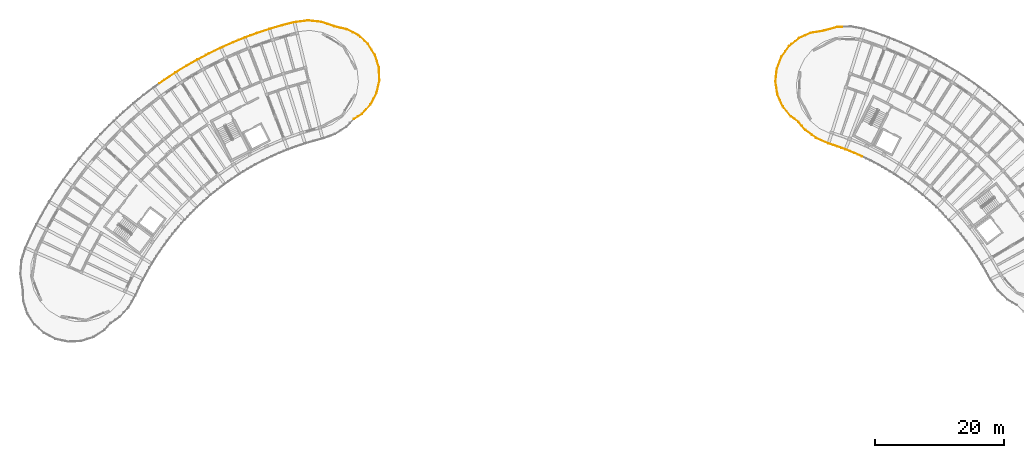
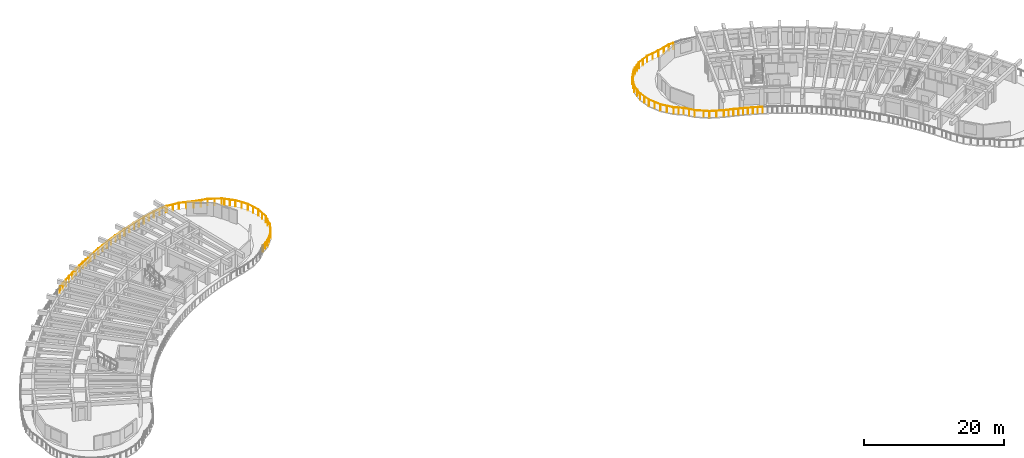
# One storey, part 33 of 36: 10 railings.
"""IFC4 building model written with IfcOpenShell, lengths in metres."""

from ifc_helpers import new_model, si_unit, direction, frame, origin, origin_2d, place, context, subcontext, project, spatial, circle, extrude, material, type_object, element, save


model = new_model("IFC4")

# Units and contexts
model_context = context("Model", 3, precision=1e-05, world=origin(), true_north=direction((0.0, 1.0)))
body_context = subcontext(model_context, "Body", "Model", "MODEL_VIEW")
ifc_project = project(units=[si_unit("LENGTHUNIT", "METRE"), si_unit("AREAUNIT", "SQUARE_METRE"), si_unit("VOLUMEUNIT", "CUBIC_METRE"), si_unit("PLANEANGLEUNIT", "RADIAN"), si_unit("MASSUNIT", "GRAM", prefix="KILO")], contexts=[model_context])

# Site, building, storey
site_placement = place(None, origin())
site = spatial("IfcSite", under=ifc_project, at=site_placement, CompositionType="ELEMENT")
building_placement = place(site_placement, origin())
building = spatial("IfcBuilding", under=site, at=building_placement, Name="Tanwirah Colonnade Gardens", CompositionType="ELEMENT")
storey_placement = place(building_placement, frame((0.0, 0.0, 39.080078125)))
storey = spatial("IfcBuildingStorey", under=building, at=storey_placement, Name="L11", CompositionType="ELEMENT", Elevation=39.080078125)

# Railings
ifc_material = material(Name="Precast concrete C40/50", Category="concrete")
railing_type = type_object("IfcRailingType", Name="BAL-EXT112", PredefinedType="BALUSTRADE", material=ifc_material)
railing_1_placement = place(storey_placement, frame((29.6474609375, 110.293212890625, 0.0)))
element("IfcRailing", 1, at=railing_1_placement, inside=storey, type_object=railing_type, Name="Block A L11 Balcony Ribbon Balustrade 14", PredefinedType="BALUSTRADE", context=body_context, shape_type="SweptSolid", body=[
    extrude(circle(Radius=0.02392578125, at=origin_2d()), frame((0.025634765625, 0.01806640625, 1.09619140625), z_axis=(0.816391751953, 0.577498491204, 0.0), x_axis=(-0.577498491204, 0.816391751953, 0.0)), (0.0, 0.0, 1.0), 0.877685546875),
    extrude(circle(Radius=0.02392578125, at=origin_2d()), frame((0.793701171875, 0.56005859375, 1.09619140625), z_axis=(0.834955682369, 0.550317188973, 0.0), x_axis=(-0.550317188973, 0.834955682369, 0.0)), (0.0, 0.0, 1.0), 1.959228515625),
    extrude(circle(Radius=0.02392578125, at=origin_2d()), frame((2.482177734375, 1.671875, 1.09619140625), z_axis=(0.852660263329, 0.522465764754, 0.0), x_axis=(-0.522465764754, 0.852660263329, 0.0)), (0.0, 0.0, 1.0), 1.958984375),
    extrude(circle(Radius=0.02392578125, at=origin_2d()), frame((4.206298828125, 2.72705078125, 1.09619140625), z_axis=(0.869392881113, 0.494121461049, 0.0), x_axis=(-0.494121461049, 0.869392881113, 0.0)), (0.0, 0.0, 1.0), 1.958740234375),
    extrude(circle(Radius=0.02392578125, at=origin_2d()), frame((5.964111328125, 3.72509765625, 1.09619140625), z_axis=(0.885233220502, 0.465147444709, 0.0), x_axis=(-0.465147444709, 0.885233220502, 0.0)), (0.0, 0.0, 1.0), 1.432861328125),
    extrude(circle(Radius=0.02099609375, at=origin_2d()), origin(), (0.0, 0.0, 1.0), 1.069091796875),
    extrude(circle(Radius=0.02099609375, at=origin_2d()), frame((0.767578125, 0.54296875, 0.0)), (0.0, 0.0, 1.0), 1.069091796875),
    extrude(circle(Radius=0.02099609375, at=origin_2d()), frame((1.611572265625, 1.09912109375, 0.0)), (0.0, 0.0, 1.0), 1.069091796875),
    extrude(circle(Radius=0.02099609375, at=origin_2d()), frame((2.45556640625, 1.655517578125, 0.0)), (0.0, 0.0, 1.0), 1.069091796875),
    extrude(circle(Radius=0.02099609375, at=origin_2d()), frame((3.3173828125, 2.18359375, 0.0)), (0.0, 0.0, 1.0), 1.069091796875),
    extrude(circle(Radius=0.02099609375, at=origin_2d()), frame((4.17919921875, 2.711669921875, 0.0)), (0.0, 0.0, 1.0), 1.069091796875),
    extrude(circle(Radius=0.02099609375, at=origin_2d()), frame((5.057861328125, 3.2109375, 0.0)), (0.0, 0.0, 1.0), 1.069091796875),
    extrude(circle(Radius=0.02099609375, at=origin_2d()), frame((5.9365234375, 3.71044921875, 0.0)), (0.0, 0.0, 1.0), 1.069091796875),
    extrude(circle(Radius=0.02099609375, at=origin_2d()), frame((6.598388671875, 4.05810546875, 0.0)), (0.0, 0.0, 1.0), 1.069091796875),
    extrude(circle(Radius=0.02099609375, at=origin_2d()), frame((7.26025390625, 4.406005859375, 0.0)), (0.0, 0.0, 1.0), 1.069091796875),
])
railing_2_placement = place(storey_placement, frame((36.90771484375, 114.69921875, 0.0)))
element("IfcRailing", 2, at=railing_2_placement, inside=storey, type_object=railing_type, Name="Block A L11 Balcony Ribbon Balustrade 15", PredefinedType="BALUSTRADE", context=body_context, shape_type="SweptSolid", body=[
    extrude(circle(Radius=0.02392578125, at=origin_2d()), frame((0.027587890625, 0.0146484375, 1.09619140625), z_axis=(0.885149567383, 0.465306612204, 0.0), x_axis=(-0.465306612204, 0.885149567383, 0.0)), (0.0, 0.0, 1.0), 0.463623046875),
    extrude(circle(Radius=0.02392578125, at=origin_2d()), frame((0.493896484375, 0.258544921875, 1.09619140625), z_axis=(0.900055350621, 0.435775591122, 0.0), x_axis=(-0.435775591122, 0.900055350621, 0.0)), (0.0, 0.0, 1.0), 1.958740234375),
    extrude(circle(Radius=0.02392578125, at=origin_2d()), frame((2.313720703125, 1.138427734375, 1.09619140625), z_axis=(0.913950953394, 0.405824660156, 0.0), x_axis=(-0.405824660156, 0.913950953394, 0.0)), (0.0, 0.0, 1.0), 1.958740234375),
    extrude(circle(Radius=0.02392578125, at=origin_2d()), frame((4.16162109375, 1.957763671875, 1.09619140625), z_axis=(0.926784720453, 0.375592973757, 0.0), x_axis=(-0.375592973757, 0.926784720453, 0.0)), (0.0, 0.0, 1.0), 1.958984375),
    extrude(circle(Radius=0.02392578125, at=origin_2d()), frame((6.035400390625, 2.716064453125, 1.09619140625), z_axis=(0.938713668442, 0.344697909305, 0.0), x_axis=(-0.344697909305, 0.938713668442, 0.0)), (0.0, 0.0, 1.0), 1.846923828125),
    extrude(circle(Radius=0.02099609375, at=origin_2d()), origin(), (0.0, 0.0, 1.0), 1.069091796875),
    extrude(circle(Radius=0.02099609375, at=origin_2d()), frame((0.4658203125, 0.244873046875, 0.0)), (0.0, 0.0, 1.0), 1.069091796875),
    extrude(circle(Radius=0.02099609375, at=origin_2d()), frame((1.37548828125, 0.685302734375, 0.0)), (0.0, 0.0, 1.0), 1.069091796875),
    extrude(circle(Radius=0.02099609375, at=origin_2d()), frame((2.28515625, 1.125732421875, 0.0)), (0.0, 0.0, 1.0), 1.069091796875),
    extrude(circle(Radius=0.02099609375, at=origin_2d()), frame((3.208984375, 1.535888671875, 0.0)), (0.0, 0.0, 1.0), 1.069091796875),
    extrude(circle(Radius=0.02099609375, at=origin_2d()), frame((4.132568359375, 1.946044921875, 0.0)), (0.0, 0.0, 1.0), 1.069091796875),
    extrude(circle(Radius=0.02099609375, at=origin_2d()), frame((5.0693359375, 2.32568359375, 0.0)), (0.0, 0.0, 1.0), 1.069091796875),
    extrude(circle(Radius=0.02099609375, at=origin_2d()), frame((6.006103515625, 2.705322265625, 0.0)), (0.0, 0.0, 1.0), 1.069091796875),
    extrude(circle(Radius=0.02099609375, at=origin_2d()), frame((6.90234375, 3.034423828125, 0.0)), (0.0, 0.0, 1.0), 1.069091796875),
    extrude(circle(Radius=0.02099609375, at=origin_2d()), frame((7.798583984375, 3.363525390625, 0.0)), (0.0, 0.0, 1.0), 1.069091796875),
])
railing_3_placement = place(storey_placement, frame((44.706298828125, 118.062744140625, 0.0)))
element("IfcRailing", 3, at=railing_3_placement, inside=storey, type_object=railing_type, Name="Block A L11 Balcony Ribbon Balustrade 16", PredefinedType="BALUSTRADE", context=body_context, shape_type="SweptSolid", body=[
    extrude(circle(Radius=0.02392578125, at=origin_2d()), frame((0.029296875, 0.0107421875, 1.09619140625), z_axis=(0.938899783479, 0.344190639883, 0.0), x_axis=(-0.344190639883, 0.938899783479, 0.0)), (0.0, 0.0, 1.0), 0.049560546875),
    extrude(circle(Radius=0.02392578125, at=origin_2d()), frame((0.135009765625, 0.04833984375, 1.09619140625), z_axis=(0.949537316482, 0.313654084317, 0.0), x_axis=(-0.313654084317, 0.949537316482, 0.0)), (0.0, 0.0, 1.0), 1.958984375),
    extrude(circle(Radius=0.02392578125, at=origin_2d()), frame((2.0546875, 0.681396484375, 1.09619140625), z_axis=(0.959371271211, 0.282146706477, 0.0), x_axis=(-0.282146706477, 0.959371271211, 0.0)), (0.0, 0.0, 1.0), 1.958740234375),
    extrude(circle(Radius=0.02392578125, at=origin_2d()), frame((3.994140625, 1.250732421875, 1.09619140625), z_axis=(0.968153485753, 0.250357400578, 0.0), x_axis=(-0.250357400578, 0.968153485753, 0.0)), (0.0, 0.0, 1.0), 1.955078125),
    extrude(circle(Radius=0.02392578125, at=origin_2d()), frame((5.9482421875, 1.751953125, 1.09619140625), z_axis=(0.99226709468, 0.124120960419, 0.0), x_axis=(-0.124120960419, 0.99226709468, 0.0)), (0.0, 0.0, 1.0), 2.0283203125),
    extrude(circle(Radius=0.02392578125, at=origin_2d()), frame((8.02294921875, 2.00439453125, 1.09619140625), z_axis=(0.994975686498, -0.100116848123, 0.0), x_axis=(0.100116848123, 0.994975686498, 0.0)), (0.0, 0.0, 1.0), 0.174072265625),
    extrude(circle(Radius=0.02099609375, at=origin_2d()), origin(), (0.0, 0.0, 1.0), 1.069091796875),
    extrude(circle(Radius=0.02099609375, at=origin_2d()), frame((0.105224609375, 0.03857421875, 0.0)), (0.0, 0.0, 1.0), 1.069091796875),
    extrude(circle(Radius=0.02099609375, at=origin_2d()), frame((1.06494140625, 0.35546875, 0.0)), (0.0, 0.0, 1.0), 1.069091796875),
    extrude(circle(Radius=0.02099609375, at=origin_2d()), frame((2.024658203125, 0.672607421875, 0.0)), (0.0, 0.0, 1.0), 1.069091796875),
    extrude(circle(Radius=0.02099609375, at=origin_2d()), frame((2.994140625, 0.957763671875, 0.0)), (0.0, 0.0, 1.0), 1.069091796875),
    extrude(circle(Radius=0.02099609375, at=origin_2d()), frame((3.9638671875, 1.242919921875, 0.0)), (0.0, 0.0, 1.0), 1.069091796875),
    extrude(circle(Radius=0.02099609375, at=origin_2d()), frame((4.9404296875, 1.49560546875, 0.0)), (0.0, 0.0, 1.0), 1.069091796875),
    extrude(circle(Radius=0.02099609375, at=origin_2d()), frame((5.917236328125, 1.748046875, 0.0)), (0.0, 0.0, 1.0), 1.069091796875),
    extrude(circle(Radius=0.02099609375, at=origin_2d()), frame((6.95458984375, 1.8779296875, 0.0)), (0.0, 0.0, 1.0), 1.069091796875),
    extrude(circle(Radius=0.02099609375, at=origin_2d()), frame((7.991943359375, 2.007568359375, 0.0)), (0.0, 0.0, 1.0), 1.069091796875),
    extrude(circle(Radius=0.02099609375, at=origin_2d()), frame((8.227294921875, 1.98388671875, 0.0)), (0.0, 0.0, 1.0), 1.069091796875),
])
railing_4_placement = place(storey_placement, frame((52.93359375, 120.046630859375, 0.0)))
element("IfcRailing", 4, at=railing_4_placement, inside=storey, type_object=railing_type, Name="Block A L11 Balcony Ribbon Balustrade 17", PredefinedType="BALUSTRADE", context=body_context, shape_type="SweptSolid", body=[
    extrude(circle(Radius=0.02392578125, at=origin_2d()), frame((0.031005859375, -0.003173828125, 1.09619140625), z_axis=(0.994999232814, -0.099882564546, 0.0), x_axis=(0.099882564546, 0.994999232814, 0.0)), (0.0, 0.0, 1.0), 1.787841796875),
    extrude(circle(Radius=0.02392578125, at=origin_2d()), frame((1.87060546875, -0.19482421875, 1.09619140625), z_axis=(0.947861179751, -0.318683516865, 0.0), x_axis=(0.318683516865, 0.947861179751, 0.0)), (0.0, 0.0, 1.0), 2.0244140625),
    extrude(circle(Radius=0.02392578125, at=origin_2d()), frame((3.845703125, -0.8662109375, 1.09619140625), z_axis=(0.85239529103, -0.52289795164, 0.0), x_axis=(0.52289795164, 0.85239529103, 0.0)), (0.0, 0.0, 1.0), 0.039794921875),
    extrude(circle(Radius=0.02392578125, at=origin_2d()), frame((3.9609375, -0.919921875, 1.09619140625), z_axis=(0.975466090971, -0.220149733968, 0.0), x_axis=(0.220149733968, 0.975466090971, 0.0)), (0.0, 0.0, 1.0), 1.960205078125),
    extrude(circle(Radius=0.02392578125, at=origin_2d()), frame((5.93115234375, -1.373046875, 1.09619140625), z_axis=(0.8852071183, -0.465197117049, 0.0), x_axis=(0.465197117049, 0.8852071183, 0.0)), (0.0, 0.0, 1.0), 1.95263671875),
    extrude(circle(Radius=0.02392578125, at=origin_2d()), frame((7.71044921875, -2.317138671875, 1.09619140625), z_axis=(0.734567337041, -0.678535796663, 0.0), x_axis=(0.678535796663, 0.734567337041, 0.0)), (0.0, 0.0, 1.0), 0.333984375),
    extrude(circle(Radius=0.02099609375, at=origin_2d()), origin(), (0.0, 0.0, 1.0), 1.069091796875),
    extrude(circle(Radius=0.02099609375, at=origin_2d()), frame((0.92041015625, -0.09228515625, 0.0)), (0.0, 0.0, 1.0), 1.069091796875),
    extrude(circle(Radius=0.02099609375, at=origin_2d()), frame((1.841064453125, -0.184814453125, 0.0)), (0.0, 0.0, 1.0), 1.069091796875),
    extrude(circle(Radius=0.02099609375, at=origin_2d()), frame((2.830078125, -0.517333984375, 0.0)), (0.0, 0.0, 1.0), 1.069091796875),
    extrude(circle(Radius=0.02099609375, at=origin_2d()), frame((3.819091796875, -0.849853515625, 0.0)), (0.0, 0.0, 1.0), 1.069091796875),
    extrude(circle(Radius=0.02099609375, at=origin_2d()), frame((3.90625, -0.9033203125, 0.0)), (0.0, 0.0, 1.0), 1.069091796875),
    extrude(circle(Radius=0.02099609375, at=origin_2d()), frame((4.9169921875, -1.1357421875, 0.0)), (0.0, 0.0, 1.0), 1.069091796875),
    extrude(circle(Radius=0.02099609375, at=origin_2d()), frame((5.903564453125, -1.3583984375, 0.0)), (0.0, 0.0, 1.0), 1.069091796875),
    extrude(circle(Radius=0.02099609375, at=origin_2d()), frame((6.79541015625, -1.8271484375, 0.0)), (0.0, 0.0, 1.0), 1.069091796875),
    extrude(circle(Radius=0.02099609375, at=origin_2d()), frame((7.6875, -2.2958984375, 0.0)), (0.0, 0.0, 1.0), 1.069091796875),
    extrude(circle(Radius=0.02099609375, at=origin_2d()), frame((7.978759765625, -2.56494140625, 0.0)), (0.0, 0.0, 1.0), 1.069091796875),
])
railing_5_placement = place(storey_placement, frame((60.912353515625, 117.481689453125, 0.0)))
element("IfcRailing", 5, at=railing_5_placement, inside=storey, type_object=railing_type, Name="Block A L11 Balcony Ribbon Balustrade 18", PredefinedType="BALUSTRADE", context=body_context, shape_type="SweptSolid", body=[
    extrude(circle(Radius=0.02392578125, at=origin_2d()), frame((0.02294921875, -0.021240234375, 1.09619140625), z_axis=(0.734676216962, -0.678417906773, 0.0), x_axis=(0.678417906773, 0.734676216962, 0.0)), (0.0, 0.0, 1.0), 1.55615234375),
    extrude(circle(Radius=0.02392578125, at=origin_2d()), frame((1.205810546875, -1.12451171875, 1.09619140625), z_axis=(0.534011223125, -0.845477387975, 0.0), x_axis=(0.845477387975, 0.534011223125, 0.0)), (0.0, 0.0, 1.0), 1.95263671875),
    extrude(circle(Radius=0.02392578125, at=origin_2d()), frame((2.274658203125, -2.831787109375, 1.09619140625), z_axis=(0.29697080991, -0.954886557692, 0.0), x_axis=(0.954886557692, 0.29697080991, 0.0)), (0.0, 0.0, 1.0), 1.952392578125),
    extrude(circle(Radius=0.02392578125, at=origin_2d()), frame((2.864990234375, -4.75732421875, 1.09619140625), z_axis=(0.039735808977, -0.999210220867, 0.0), x_axis=(0.999210220867, 0.039735808977, 0.0)), (0.0, 0.0, 1.0), 1.95263671875),
    extrude(circle(Radius=0.02392578125, at=origin_2d()), frame((2.93701171875, -6.770263671875, 1.09619140625), z_axis=(-0.220269837947, -0.975438977328, 0.0), x_axis=(0.975438977328, -0.220269837947, 0.0)), (0.0, 0.0, 1.0), 0.773193359375),
    extrude(circle(Radius=0.02099609375, at=origin_2d()), origin(), (0.0, 0.0, 1.0), 1.069091796875),
    extrude(circle(Radius=0.02099609375, at=origin_2d()), frame((0.5947265625, -0.549072265625, 0.0)), (0.0, 0.0, 1.0), 1.069091796875),
    extrude(circle(Radius=0.02099609375, at=origin_2d()), frame((1.189208984375, -1.09814453125, 0.0)), (0.0, 0.0, 1.0), 1.069091796875),
    extrude(circle(Radius=0.02099609375, at=origin_2d()), frame((1.727294921875, -1.9501953125, 0.0)), (0.0, 0.0, 1.0), 1.069091796875),
    extrude(circle(Radius=0.02099609375, at=origin_2d()), frame((2.265380859375, -2.802001953125, 0.0)), (0.0, 0.0, 1.0), 1.069091796875),
    extrude(circle(Radius=0.02099609375, at=origin_2d()), frame((2.564453125, -3.76416015625, 0.0)), (0.0, 0.0, 1.0), 1.069091796875),
    extrude(circle(Radius=0.02099609375, at=origin_2d()), frame((2.86376953125, -4.72607421875, 0.0)), (0.0, 0.0, 1.0), 1.069091796875),
    extrude(circle(Radius=0.02099609375, at=origin_2d()), frame((2.90380859375, -5.73291015625, 0.0)), (0.0, 0.0, 1.0), 1.069091796875),
    extrude(circle(Radius=0.02099609375, at=origin_2d()), frame((2.94384765625, -6.73974609375, 0.0)), (0.0, 0.0, 1.0), 1.069091796875),
    extrude(circle(Radius=0.02099609375, at=origin_2d()), frame((2.759765625, -7.554931640625, 0.0)), (0.0, 0.0, 1.0), 1.069091796875),
])
railing_6_placement = place(storey_placement, frame((63.672119140625, 109.9267578125, 0.0)))
element("IfcRailing", 6, at=railing_6_placement, inside=storey, type_object=railing_type, Name="Block A L11 Balcony Ribbon Balustrade 19", PredefinedType="BALUSTRADE", context=body_context, shape_type="SweptSolid", body=[
    extrude(circle(Radius=0.02392578125, at=origin_2d()), frame((-0.0068359375, -0.030517578125, 1.09619140625), z_axis=(-0.220260871435, -0.975441002068, 0.0), x_axis=(0.975441002068, -0.220260871435, 0.0)), (0.0, 0.0, 1.0), 1.116943359375),
    extrude(circle(Radius=0.02392578125, at=origin_2d()), frame((-0.2744140625, -1.177978515625, 1.09619140625), z_axis=(-0.46510218075, -0.885257003057, 0.0), x_axis=(0.885257003057, -0.46510218075, 0.0)), (0.0, 0.0, 1.0), 1.95263671875),
    extrude(circle(Radius=0.02392578125, at=origin_2d()), frame((-1.21826171875, -2.957275390625, 1.09619140625), z_axis=(-0.678501490728, -0.734599024693, 0.0), x_axis=(0.734599024693, -0.678501490728, 0.0)), (0.0, 0.0, 1.0), 1.952392578125),
    extrude(circle(Radius=0.02392578125, at=origin_2d()), frame((-2.590576171875, -4.43115234375, 1.09619140625), z_axis=(-0.845440461519, -0.534069682744, 0.0), x_axis=(0.534069682744, -0.845440461519, 0.0)), (0.0, 0.0, 1.0), 1.374755859375),
    extrude(circle(Radius=0.02099609375, at=origin_2d()), origin(), (0.0, 0.0, 1.0), 1.069091796875),
    extrude(circle(Radius=0.02099609375, at=origin_2d()), frame((-0.259765625, -1.150390625, 0.0)), (0.0, 0.0, 1.0), 1.069091796875),
    extrude(circle(Radius=0.02099609375, at=origin_2d()), frame((-0.728515625, -2.04248046875, 0.0)), (0.0, 0.0, 1.0), 1.069091796875),
    extrude(circle(Radius=0.02099609375, at=origin_2d()), frame((-1.197021484375, -2.934326171875, 0.0)), (0.0, 0.0, 1.0), 1.069091796875),
    extrude(circle(Radius=0.02099609375, at=origin_2d()), frame((-1.880615234375, -3.67431640625, 0.0)), (0.0, 0.0, 1.0), 1.069091796875),
    extrude(circle(Radius=0.02099609375, at=origin_2d()), frame((-2.564208984375, -4.41455078125, 0.0)), (0.0, 0.0, 1.0), 1.069091796875),
    extrude(circle(Radius=0.02099609375, at=origin_2d()), frame((-3.171875, -4.79833984375, 0.0)), (0.0, 0.0, 1.0), 1.069091796875),
    extrude(circle(Radius=0.02099609375, at=origin_2d()), frame((-3.779296875, -5.18212890625, 0.0)), (0.0, 0.0, 1.0), 1.069091796875),
])
railing_7_placement = place(storey_placement, frame((138.94873046875, 98.922119140625, 0.0)))
element("IfcRailing", 7, at=railing_7_placement, inside=storey, type_object=railing_type, Name="Block B L11 Balcony Ribbon Balustrade 5", PredefinedType="BALUSTRADE", context=body_context, shape_type="SweptSolid", body=[
    extrude(circle(Radius=0.02392578125, at=origin_2d()), frame((-0.028564453125, 0.0126953125, 1.09619140625), z_axis=(-0.913956253075, 0.405812724622, 0.0), x_axis=(-0.405812724622, -0.913956253075, 0.0)), (0.0, 0.0, 1.0), 1.328369140625),
    extrude(circle(Radius=0.02392578125, at=origin_2d()), frame((-1.302490234375, 0.5771484375, 1.09619140625), z_axis=(-0.92683738147, 0.375463005247, 0.0), x_axis=(-0.375463005247, -0.92683738147, 0.0)), (0.0, 0.0, 1.0), 1.342041015625),
    extrude(circle(Radius=0.02392578125, at=origin_2d()), frame((-2.60693359375, 1.1044921875, 1.09619140625), z_axis=(-0.93868698515, 0.344770567059, 0.0), x_axis=(-0.344770567059, -0.93868698515, 0.0)), (0.0, 0.0, 1.0), 1.341796875),
    extrude(circle(Radius=0.02392578125, at=origin_2d()), frame((-3.92822265625, 1.588623046875, 1.09619140625), z_axis=(-0.949551322101, 0.313611681377, 0.0), x_axis=(-0.313611681377, -0.949551322101, 0.0)), (0.0, 0.0, 1.0), 1.337890625),
    extrude(circle(Radius=0.02392578125, at=origin_2d()), frame((-5.2568359375, 2.03076171875, 1.09619140625), z_axis=(-0.915206584925, 0.402984995887, 0.0), x_axis=(-0.402984995887, -0.915206584925, 0.0)), (0.0, 0.0, 1.0), 2.029296875),
    extrude(circle(Radius=0.02392578125, at=origin_2d()), frame((-7.16796875, 2.879638671875, 1.09619140625), z_axis=(-0.802702102389, 0.596380193182, 0.0), x_axis=(-0.596380193182, -0.802702102389, 0.0)), (0.0, 0.0, 1.0), 0.7373046875),
    extrude(circle(Radius=0.02099609375, at=origin_2d()), origin(), (0.0, 0.0, 1.0), 1.069091796875),
    extrude(circle(Radius=0.02099609375, at=origin_2d()), frame((-0.6357421875, 0.2822265625, 0.0)), (0.0, 0.0, 1.0), 1.069091796875),
    extrude(circle(Radius=0.02099609375, at=origin_2d()), frame((-1.271240234375, 0.564453125, 0.0)), (0.0, 0.0, 1.0), 1.069091796875),
    extrude(circle(Radius=0.02099609375, at=origin_2d()), frame((-1.92431640625, 0.8291015625, 0.0)), (0.0, 0.0, 1.0), 1.069091796875),
    extrude(circle(Radius=0.02099609375, at=origin_2d()), frame((-2.5751953125, 1.0927734375, 0.0)), (0.0, 0.0, 1.0), 1.069091796875),
    extrude(circle(Radius=0.02099609375, at=origin_2d()), frame((-3.23681640625, 1.3359375, 0.0)), (0.0, 0.0, 1.0), 1.069091796875),
    extrude(circle(Radius=0.02099609375, at=origin_2d()), frame((-3.895751953125, 1.577880859375, 0.0)), (0.0, 0.0, 1.0), 1.069091796875),
    extrude(circle(Radius=0.02099609375, at=origin_2d()), frame((-4.5634765625, 1.79833984375, 0.0)), (0.0, 0.0, 1.0), 1.069091796875),
    extrude(circle(Radius=0.02099609375, at=origin_2d()), frame((-5.228271484375, 2.01806640625, 0.0)), (0.0, 0.0, 1.0), 1.069091796875),
    extrude(circle(Radius=0.02099609375, at=origin_2d()), frame((-6.185546875, 2.439453125, 0.0)), (0.0, 0.0, 1.0), 1.069091796875),
    extrude(circle(Radius=0.02099609375, at=origin_2d()), frame((-7.142822265625, 2.861083984375, 0.0)), (0.0, 0.0, 1.0), 1.069091796875),
    extrude(circle(Radius=0.02099609375, at=origin_2d()), frame((-7.784912109375, 3.338134765625, 0.0)), (0.0, 0.0, 1.0), 1.069091796875),
])
railing_8_placement = place(storey_placement, frame((131.163818359375, 102.26025390625, 0.0)))
element("IfcRailing", 8, at=railing_8_placement, inside=storey, type_object=railing_type, Name="Block B L11 Balcony Ribbon Balustrade 6", PredefinedType="BALUSTRADE", context=body_context, shape_type="SweptSolid", body=[
    extrude(circle(Radius=0.02392578125, at=origin_2d()), frame((-0.025146484375, 0.0185546875, 1.09619140625), z_axis=(-0.802564801739, 0.596564949532, 0.0), x_axis=(-0.596564949532, -0.802564801739, 0.0)), (0.0, 0.0, 1.0), 1.224609375),
    extrude(circle(Radius=0.02392578125, at=origin_2d()), frame((-1.05322265625, 0.79150390625, 1.09619140625), z_axis=(-0.649744401768, 0.760152755945, 0.0), x_axis=(-0.760152755945, -0.649744401768, 0.0)), (0.0, 0.0, 1.0), 1.609130859375),
    extrude(circle(Radius=0.02392578125, at=origin_2d()), frame((-2.158447265625, 2.069580078125, 1.09619140625), z_axis=(-0.808442081214, 0.588575739665, 0.0), x_axis=(-0.588575739665, -0.808442081214, 0.0)), (0.0, 0.0, 1.0), 1.374267578125),
    extrude(circle(Radius=0.02392578125, at=origin_2d()), frame((-3.314208984375, 2.92138671875, 1.09619140625), z_axis=(-0.628528846371, 0.777786274808, 0.0), x_axis=(-0.777786274808, -0.628528846371, 0.0)), (0.0, 0.0, 1.0), 1.95263671875),
    extrude(circle(Radius=0.02392578125, at=origin_2d()), frame((-4.573974609375, 4.492919921875, 1.09619140625), z_axis=(-0.405891131763, 0.913921434893, 0.0), x_axis=(-0.913921434893, -0.405891131763, 0.0)), (0.0, 0.0, 1.0), 1.952392578125),
    extrude(circle(Radius=0.02099609375, at=origin_2d()), origin(), (0.0, 0.0, 1.0), 1.069091796875),
    extrude(circle(Radius=0.02099609375, at=origin_2d()), frame((-1.032958984375, 0.767822265625, 0.0)), (0.0, 0.0, 1.0), 1.069091796875),
    extrude(circle(Radius=0.02099609375, at=origin_2d()), frame((-1.576171875, 1.4033203125, 0.0)), (0.0, 0.0, 1.0), 1.069091796875),
    extrude(circle(Radius=0.02099609375, at=origin_2d()), frame((-2.119140625, 2.03857421875, 0.0)), (0.0, 0.0, 1.0), 1.069091796875),
    extrude(circle(Radius=0.02099609375, at=origin_2d()), frame((-2.7138671875, 2.47412109375, 0.0)), (0.0, 0.0, 1.0), 1.069091796875),
    extrude(circle(Radius=0.02099609375, at=origin_2d()), frame((-3.294677734375, 2.89697265625, 0.0)), (0.0, 0.0, 1.0), 1.069091796875),
    extrude(circle(Radius=0.02099609375, at=origin_2d()), frame((-3.927978515625, 3.6806640625, 0.0)), (0.0, 0.0, 1.0), 1.069091796875),
    extrude(circle(Radius=0.02099609375, at=origin_2d()), frame((-4.561279296875, 4.46435546875, 0.0)), (0.0, 0.0, 1.0), 1.069091796875),
    extrude(circle(Radius=0.02099609375, at=origin_2d()), frame((-4.97021484375, 5.38525390625, 0.0)), (0.0, 0.0, 1.0), 1.069091796875),
    extrude(circle(Radius=0.02099609375, at=origin_2d()), frame((-5.379150390625, 6.305908203125, 0.0)), (0.0, 0.0, 1.0), 1.069091796875),
])
railing_9_placement = place(storey_placement, frame((125.776123046875, 108.620849609375, 0.0)))
element("IfcRailing", 9, at=railing_9_placement, inside=storey, type_object=railing_type, Name="Block B L11 Balcony Ribbon Balustrade 7", PredefinedType="BALUSTRADE", context=body_context, shape_type="SweptSolid", body=[
    extrude(circle(Radius=0.02392578125, at=origin_2d()), frame((-0.0048828125, 0.03076171875, 1.09619140625), z_axis=(-0.155463599455, 0.987841621539, 0.0), x_axis=(-0.987841621539, -0.155463599455, 0.0)), (0.0, 0.0, 1.0), 1.8974609375),
    extrude(circle(Radius=0.02392578125, at=origin_2d()), frame((-0.301513671875, 1.967041015625, 1.09619140625), z_axis=(0.105403713051, 0.994429513477, 0.0), x_axis=(-0.994429513477, 0.105403713051, 0.0)), (0.0, 0.0, 1.0), 1.95263671875),
    extrude(circle(Radius=0.02392578125, at=origin_2d()), frame((-0.0810546875, 3.968994140625, 1.09619140625), z_axis=(0.359328138374, 0.933211277779, 0.0), x_axis=(-0.933211277779, 0.359328138374, 0.0)), (0.0, 0.0, 1.0), 1.95263671875),
    extrude(circle(Radius=0.02392578125, at=origin_2d()), frame((0.650146484375, 5.845947265625, 1.09619140625), z_axis=(0.588560628572, 0.808453082433, 0.0), x_axis=(-0.808453082433, 0.588560628572, 0.0)), (0.0, 0.0, 1.0), 1.95263671875),
    extrude(circle(Radius=0.02392578125, at=origin_2d()), frame((1.84228515625, 7.46923828125, 1.09619140625), z_axis=(0.777922619936, 0.628360085773, 0.0), x_axis=(-0.628360085773, 0.777922619936, 0.0)), (0.0, 0.0, 1.0), 0.43212890625),
    extrude(circle(Radius=0.02099609375, at=origin_2d()), origin(), (0.0, 0.0, 1.0), 1.069091796875),
    extrude(circle(Radius=0.02099609375, at=origin_2d()), frame((-0.15234375, 0.968017578125, 0.0)), (0.0, 0.0, 1.0), 1.069091796875),
    extrude(circle(Radius=0.02099609375, at=origin_2d()), frame((-0.3046875, 1.93603515625, 0.0)), (0.0, 0.0, 1.0), 1.069091796875),
    extrude(circle(Radius=0.02099609375, at=origin_2d()), frame((-0.198486328125, 2.93798828125, 0.0)), (0.0, 0.0, 1.0), 1.069091796875),
    extrude(circle(Radius=0.02099609375, at=origin_2d()), frame((-0.09228515625, 3.93994140625, 0.0)), (0.0, 0.0, 1.0), 1.069091796875),
    extrude(circle(Radius=0.02099609375, at=origin_2d()), frame((0.269775390625, 4.88037109375, 0.0)), (0.0, 0.0, 1.0), 1.069091796875),
    extrude(circle(Radius=0.02099609375, at=origin_2d()), frame((0.6318359375, 5.820556640625, 0.0)), (0.0, 0.0, 1.0), 1.069091796875),
    extrude(circle(Radius=0.02099609375, at=origin_2d()), frame((1.224853515625, 6.63525390625, 0.0)), (0.0, 0.0, 1.0), 1.069091796875),
    extrude(circle(Radius=0.02099609375, at=origin_2d()), frame((1.81787109375, 7.44970703125, 0.0)), (0.0, 0.0, 1.0), 1.069091796875),
    extrude(circle(Radius=0.02099609375, at=origin_2d()), frame((2.20263671875, 7.760498046875, 0.0)), (0.0, 0.0, 1.0), 1.069091796875),
])
railing_10_placement = place(storey_placement, frame((127.978759765625, 116.38134765625, 0.0)))
element("IfcRailing", 10, at=railing_10_placement, inside=storey, type_object=railing_type, Name="Block B L11 Balcony Ribbon Balustrade 8", PredefinedType="BALUSTRADE", context=body_context, shape_type="SweptSolid", body=[
    extrude(circle(Radius=0.02392578125, at=origin_2d()), frame((0.0244140625, 0.019775390625, 1.09619140625), z_axis=(0.777678466127, 0.628662233097, 0.0), x_axis=(-0.628662233097, 0.777678466127, 0.0)), (0.0, 0.0, 1.0), 1.457763671875),
    extrude(circle(Radius=0.02392578125, at=origin_2d()), frame((1.2109375, 0.968505859375, 1.09619140625), z_axis=(0.91394139265, 0.405846191063, 0.0), x_axis=(-0.405846191063, 0.91394139265, 0.0)), (0.0, 0.0, 1.0), 1.95263671875),
    extrude(circle(Radius=0.02392578125, at=origin_2d()), frame((3.054931640625, 1.778564453125, 1.09619140625), z_axis=(0.987844052199, 0.155448153846, 0.0), x_axis=(-0.155448153846, 0.987844052199, 0.0)), (0.0, 0.0, 1.0), 1.96044921875),
    extrude(circle(Radius=0.02392578125, at=origin_2d()), frame((5.07470703125, 2.11083984375, 1.09619140625), z_axis=(0.886158574219, 0.463382111586, 0.0), x_axis=(-0.463382111586, 0.886158574219, 0.0)), (0.0, 0.0, 1.0), 0.039794921875),
    extrude(circle(Radius=0.02392578125, at=origin_2d()), frame((5.16796875, 2.15185546875, 1.09619140625), z_axis=(0.966778387771, 0.255616018548, 0.0), x_axis=(-0.255616018548, 0.966778387771, 0.0)), (0.0, 0.0, 1.0), 2.0244140625),
    extrude(circle(Radius=0.02392578125, at=origin_2d()), frame((7.1865234375, 2.67822265625, 1.09619140625), z_axis=(0.999423436415, 0.033952831173, 0.0), x_axis=(-0.033952831173, 0.999423436415, 0.0)), (0.0, 0.0, 1.0), 0.663818359375),
    extrude(circle(Radius=0.02099609375, at=origin_2d()), origin(), (0.0, 0.0, 1.0), 1.069091796875),
    extrude(circle(Radius=0.02099609375, at=origin_2d()), frame((0.59130859375, 0.47802734375, 0.0)), (0.0, 0.0, 1.0), 1.069091796875),
    extrude(circle(Radius=0.02099609375, at=origin_2d()), frame((1.182373046875, 0.955810546875, 0.0)), (0.0, 0.0, 1.0), 1.069091796875),
    extrude(circle(Radius=0.02099609375, at=origin_2d()), frame((2.103271484375, 1.36474609375, 0.0)), (0.0, 0.0, 1.0), 1.069091796875),
    extrude(circle(Radius=0.02099609375, at=origin_2d()), frame((3.024169921875, 1.773681640625, 0.0)), (0.0, 0.0, 1.0), 1.069091796875),
    extrude(circle(Radius=0.02099609375, at=origin_2d()), frame((4.0234375, 1.930908203125, 0.0)), (0.0, 0.0, 1.0), 1.069091796875),
    extrude(circle(Radius=0.02099609375, at=origin_2d()), frame((5.0224609375, 2.088134765625, 0.0)), (0.0, 0.0, 1.0), 1.069091796875),
    extrude(circle(Radius=0.02099609375, at=origin_2d()), frame((5.1376953125, 2.143798828125, 0.0)), (0.0, 0.0, 1.0), 1.069091796875),
    extrude(circle(Radius=0.02099609375, at=origin_2d()), frame((6.146484375, 2.41064453125, 0.0)), (0.0, 0.0, 1.0), 1.069091796875),
    extrude(circle(Radius=0.02099609375, at=origin_2d()), frame((7.1552734375, 2.67724609375, 0.0)), (0.0, 0.0, 1.0), 1.069091796875),
    extrude(circle(Radius=0.02099609375, at=origin_2d()), frame((7.881103515625, 2.701904296875, 0.0)), (0.0, 0.0, 1.0), 1.069091796875),
])

save(model, "model.ifc")
